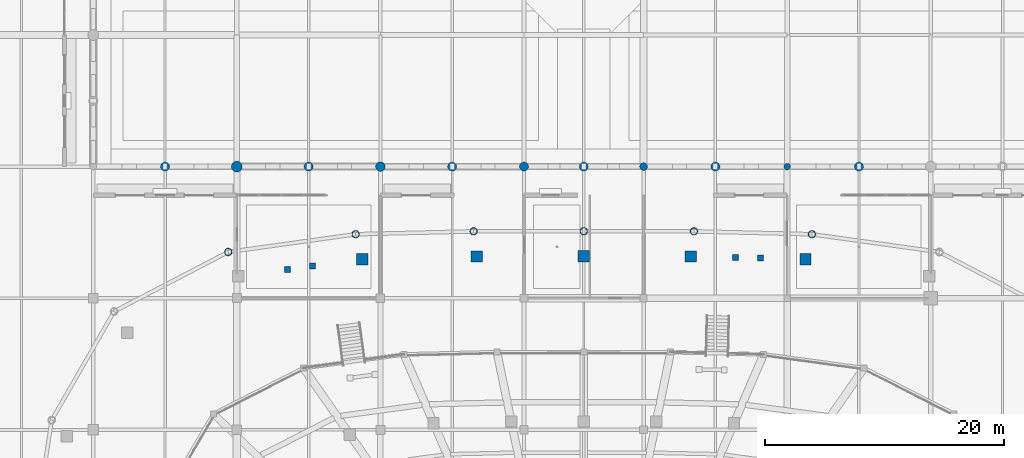
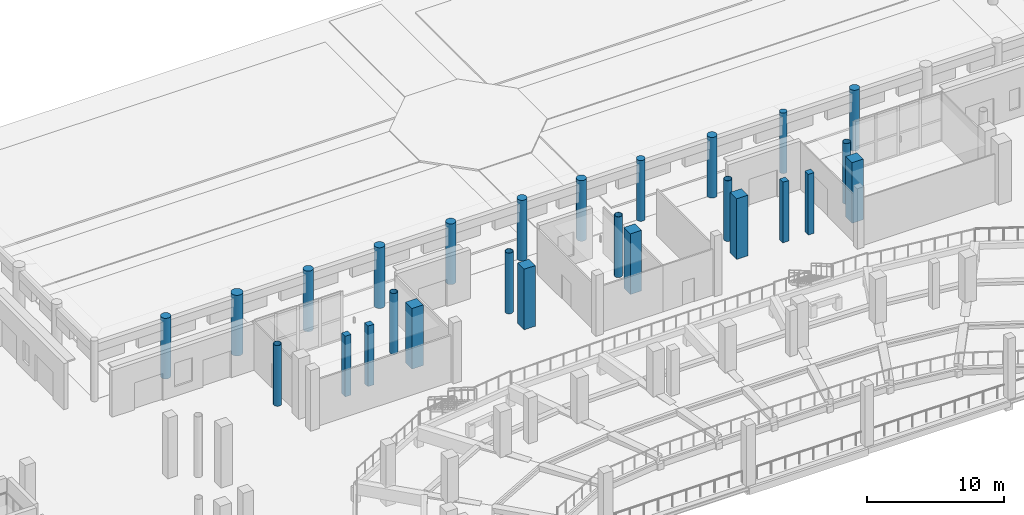
# One storey, part 9 of 120: 26 columns.
"""IFC4 building model written with IfcOpenShell, lengths in metres."""

from ifc_helpers import new_model, si_unit, direction, frame, origin, origin_2d, place, context, subcontext, project, spatial, rectangle, circle, hollow_circle, extrude, material, material_profile, profile_set, type_object, element, save


model = new_model("IFC4")

# Units and contexts
model_context = context("Model", 3, precision=1e-05, world=origin(), true_north=direction((0.0, 1.0)))
body_context = subcontext(model_context, "Body", "Model", "MODEL_VIEW")
ifc_project = project(units=[si_unit("LENGTHUNIT", "METRE"), si_unit("AREAUNIT", "SQUARE_METRE"), si_unit("VOLUMEUNIT", "CUBIC_METRE"), si_unit("PLANEANGLEUNIT", "RADIAN"), si_unit("MASSUNIT", "GRAM", prefix="KILO")], contexts=[model_context])

# Site, building, storey
site_placement = place(None, origin())
site = spatial("IfcSite", under=ifc_project, at=site_placement, CompositionType="ELEMENT")
building_placement = place(site_placement, origin())
building = spatial("IfcBuilding", under=site, at=building_placement, Name="Luwafu Chhajja Arena", CompositionType="ELEMENT")
storey_placement = place(building_placement, origin())
storey = spatial("IfcBuildingStorey", under=building, at=storey_placement, Name="L00", CompositionType="ELEMENT", Elevation=0.0)

# Columns
ifc_material_1 = material(Name="Concrete C40/50", Category="concrete")
ifc_material_profile_1 = material_profile(ifc_material_1, rectangle(XDim=0.949951171875, YDim=0.949951171875, at=origin_2d()), Name="RC 950x950")
ifc_profile_set_1 = profile_set([ifc_material_profile_1], Name="Concrete C40/50")
column_type_1 = type_object("IfcColumnType", Name="Bowl Raker Support Column RC 950", PredefinedType="COLUMN", material=ifc_profile_set_1)
for number, where, z_axis, x_axis, name in (
    (1, (117.53173828125, 91.2568359375, 0.0), (0.0, 0.0, 1.0), (1.0, 0.0, 0.0), "L00 Upper Bowl Raker Column UO07"),
    (2, (107.948486328125, 91.48876953125, 0.0), (0.0, 0.0, 1.0), (1.0, 0.0, 0.0), "L00 Upper Bowl Raker Column UO08"),
    (3, (99.0, 91.5, 0.0), (0.0, 0.0, 1.0), (1.0, 0.0, 0.0), "L00 Upper Bowl Raker Column UO09"),
    (4, (90.051513671875, 91.48876953125, 0.0), (0.0, 0.0, 1.0), (1.0, 0.0, 0.0), "L00 Upper Bowl Raker Column UO10"),
    (5, (80.46826171875, 91.2568359375, 0.0), (0.0, 0.0, 1.0), (1.0, 0.0, 0.0), "L00 Upper Bowl Raker Column UO11"),
):
    element("IfcColumn", number, at=place(storey_placement, frame(where, z_axis=z_axis, x_axis=x_axis)), inside=storey, type_object=column_type_1, Name=name, PredefinedType="COLUMN", context=body_context, shape_type="SweptSolid", body=[
        extrude(rectangle(XDim=0.949951171875, YDim=0.949951171875, at=origin_2d()), origin(), (0.0, 0.0, 1.0), 5.39990234375),
    ])
ifc_material_2 = material(Name="Concrete C35/45", Category="concrete")
ifc_material_profile_2 = material_profile(ifc_material_2, circle(Radius=0.375, at=origin_2d()), Name="RC COL D750")
ifc_profile_set_2 = profile_set([ifc_material_profile_2], Name="Concrete C35/45")
column_type_2 = type_object("IfcColumnType", Name="Charbagh Cloister Pier D750", PredefinedType="COLUMN", material=ifc_profile_set_2)
for number, where, z_axis, x_axis, name in (
    (6, (94.0, 99.0, 0.0), (0.0, 0.0, 1.0), (1.0, 0.0, 0.0), "L00 Grid Column 9/K"),
    (7, (64.0, 99.0, 0.0), (0.0, 0.0, 1.0), (1.0, 0.0, 0.0), "L00 Mughal Riwaq Colonnade Pier CHS05"),
    (8, (76.0, 99.0, 0.0), (0.0, 0.0, 1.0), (1.0, 0.0, 0.0), "L00 Mughal Riwaq Colonnade Pier CHS06"),
    (9, (88.0, 99.0, 0.0), (0.0, 0.0, 1.0), (1.0, 0.0, 0.0), "L00 Mughal Riwaq Colonnade Pier CHS07"),
    (10, (99.0, 99.0, 0.0), (0.0, 0.0, 1.0), (1.0, 0.0, 0.0), "L00 Mughal Riwaq Colonnade Pier CHS08"),
    (11, (110.0, 99.0, 0.0), (0.0, 0.0, 1.0), (1.0, 0.0, 0.0), "L00 Mughal Riwaq Colonnade Pier CHS09"),
    (12, (122.0, 99.0, 0.0), (0.0, 0.0, 1.0), (1.0, 0.0, 0.0), "L00 Mughal Riwaq Colonnade Pier CHS10"),
):
    element("IfcColumn", number, at=place(storey_placement, frame(where, z_axis=z_axis, x_axis=x_axis)), inside=storey, type_object=column_type_2, Name=name, PredefinedType="COLUMN", context=body_context, shape_type="SweptSolid", body=[
        extrude(circle(Radius=0.375, at=origin_2d()), origin(), (0.0, 0.0, 1.0), 5.39990234375),
    ])
ifc_material_profile_3 = material_profile(ifc_material_2, circle(Radius=0.324951171875, at=origin_2d()), Name="RC COL D650")
ifc_profile_set_3 = profile_set([ifc_material_profile_3], Name="Concrete C35/45")
column_type_3 = type_object("IfcColumnType", Name="Courtyard Arcade Pier D650", PredefinedType="COLUMN", material=ifc_profile_set_3)
column_1_placement = place(storey_placement, frame((104.0, 99.0, 0.0), z_axis=(0.0, 0.0, 1.0), x_axis=(1.0, 0.0, 0.0)))
element("IfcColumn", 13, at=column_1_placement, inside=storey, type_object=column_type_3, Name="L00 Grid Column 10/K", PredefinedType="COLUMN", context=body_context, shape_type="SweptSolid", body=[
    extrude(circle(Radius=0.324951171875, at=origin_2d()), origin(), (0.0, 0.0, 1.0), 5.39990234375),
])
ifc_material_profile_4 = material_profile(ifc_material_1, circle(Radius=0.39990234375, at=origin_2d()), Name="RC COL D800")
ifc_profile_set_4 = profile_set([ifc_material_profile_4], Name="Concrete C40/50")
column_type_4 = type_object("IfcColumnType", Name="Foyer Rotunda Pier D800", PredefinedType="COLUMN", material=ifc_profile_set_4)
column_2_placement = place(storey_placement, frame((82.0, 99.0, 0.0), z_axis=(0.0, 0.0, 1.0), x_axis=(1.0, 0.0, 0.0)))
element("IfcColumn", 14, at=column_2_placement, inside=storey, type_object=column_type_4, Name="L00 Grid Column 8/K", PredefinedType="COLUMN", context=body_context, shape_type="SweptSolid", body=[
    extrude(circle(Radius=0.39990234375, at=origin_2d()), origin(), (0.0, 0.0, 1.0), 5.39990234375),
])
ifc_material_profile_5 = material_profile(ifc_material_1, circle(Radius=0.449951171875, at=origin_2d()), Name="RC COL D900")
ifc_profile_set_5 = profile_set([ifc_material_profile_5], Name="Concrete C40/50")
column_type_5 = type_object("IfcColumnType", Name="Mughal Colonnade Drum Pier D900", PredefinedType="COLUMN", material=ifc_profile_set_5)
column_3_placement = place(storey_placement, frame((70.0, 99.0, 0.0), z_axis=(0.0, 0.0, 1.0), x_axis=(1.0, 0.0, 0.0)))
element("IfcColumn", 15, at=column_3_placement, inside=storey, type_object=column_type_5, Name="L00 Grid Column 7/K", PredefinedType="COLUMN", context=body_context, shape_type="SweptSolid", body=[
    extrude(circle(Radius=0.449951171875, at=origin_2d()), origin(), (0.0, 0.0, 1.0), 5.39990234375),
])
ifc_material_profile_6 = material_profile(ifc_material_2, rectangle(XDim=0.5, YDim=0.5, at=origin_2d()), Name="RC 500x500")
ifc_profile_set_6 = profile_set([ifc_material_profile_6], Name="Concrete C35/45")
column_type_6 = type_object("IfcColumnType", Name="Pavilion Column RC 500", PredefinedType="COLUMN", material=ifc_profile_set_6)
for number, where, z_axis, x_axis, name in (
    (16, (113.789794921875, 91.347412109375, 0.0), (0.0, 0.0, 1.0), (1.0, 0.0, 0.0), "L00 Vomitory Stack Column VU07A"),
    (17, (111.6904296875, 91.398193359375, 0.0), (0.0, 0.0, 1.0), (1.0, 0.0, 0.0), "L00 Vomitory Stack Column VU07B"),
    (18, (76.332763671875, 90.693115234375, 0.0), (0.0, 0.0, 1.0), (1.0, 0.0, 0.0), "L00 Vomitory Stack Column VU11A"),
    (19, (74.251953125, 90.4091796875, 0.0), (0.0, 0.0, 1.0), (1.0, 0.0, 0.0), "L00 Vomitory Stack Column VU11B"),
):
    element("IfcColumn", number, at=place(storey_placement, frame(where, z_axis=z_axis, x_axis=x_axis)), inside=storey, type_object=column_type_6, Name=name, PredefinedType="COLUMN", context=body_context, shape_type="SweptSolid", body=[
        extrude(rectangle(XDim=0.5, YDim=0.5, at=origin_2d()), origin(), (0.0, 0.0, 1.0), 5.39990234375),
    ])
ifc_material_3 = material(Name="Steel S355", Category="steel")
ifc_material_profile_7 = material_profile(ifc_material_3, hollow_circle(Radius=0.304931640625, WallThickness=0.02490234375, at=origin_2d()), Name="CHS 610x25")
ifc_profile_set_7 = profile_set([ifc_material_profile_7], Name="Steel S355")
column_type_7 = type_object("IfcColumnType", Name="Steel Bowl Drum Column CHS 610", PredefinedType="COLUMN", material=ifc_profile_set_7)
for number, where, z_axis, x_axis, name in (
    (20, (118.067138671875, 93.3447265625, 0.0), (0.0, 0.0, 1.0), (1.0, 0.0, 0.0), "L00 Bowl Drum Column D07"),
    (21, (108.207275390625, 93.588134765625, 0.0), (0.0, 0.0, 1.0), (1.0, 0.0, 0.0), "L00 Bowl Drum Column D08"),
    (22, (99.0, 93.60009765625, 0.0), (0.0, 0.0, 1.0), (1.0, 0.0, 0.0), "L00 Bowl Drum Column D09"),
    (23, (89.792724609375, 93.588134765625, 0.0), (0.0, 0.0, 1.0), (1.0, 0.0, 0.0), "L00 Bowl Drum Column D10"),
    (24, (79.932861328125, 93.3447265625, 0.0), (0.0, 0.0, 1.0), (1.0, 0.0, 0.0), "L00 Bowl Drum Column D11"),
    (25, (69.281982421875, 91.86279296875, 0.0), (0.0, 0.0, 1.0), (1.0, 0.0, 0.0), "L00 Bowl Drum Column D12"),
):
    element("IfcColumn", number, at=place(storey_placement, frame(where, z_axis=z_axis, x_axis=x_axis)), inside=storey, type_object=column_type_7, Name=name, PredefinedType="COLUMN", context=body_context, shape_type="SweptSolid", body=[
        extrude(hollow_circle(Radius=0.304931640625, WallThickness=0.02490234375, at=origin_2d()), origin(), (0.0, 0.0, 1.0), 5.39990234375),
    ])
ifc_material_profile_8 = material_profile(ifc_material_2, circle(Radius=0.27490234375, at=origin_2d()), Name="RC COL D550")
ifc_profile_set_8 = profile_set([ifc_material_profile_8], Name="Concrete C35/45")
column_type_8 = type_object("IfcColumnType", Name="Terrace Loggia Pier D550", PredefinedType="COLUMN", material=ifc_profile_set_8)
column_4_placement = place(storey_placement, frame((116.0, 99.0, 0.0), z_axis=(0.0, 0.0, 1.0), x_axis=(1.0, 0.0, 0.0)))
element("IfcColumn", 26, at=column_4_placement, inside=storey, type_object=column_type_8, Name="L00 Grid Column 11/K", PredefinedType="COLUMN", context=body_context, shape_type="SweptSolid", body=[
    extrude(circle(Radius=0.27490234375, at=origin_2d()), origin(), (0.0, 0.0, 1.0), 5.39990234375),
])

save(model, "model.ifc")
